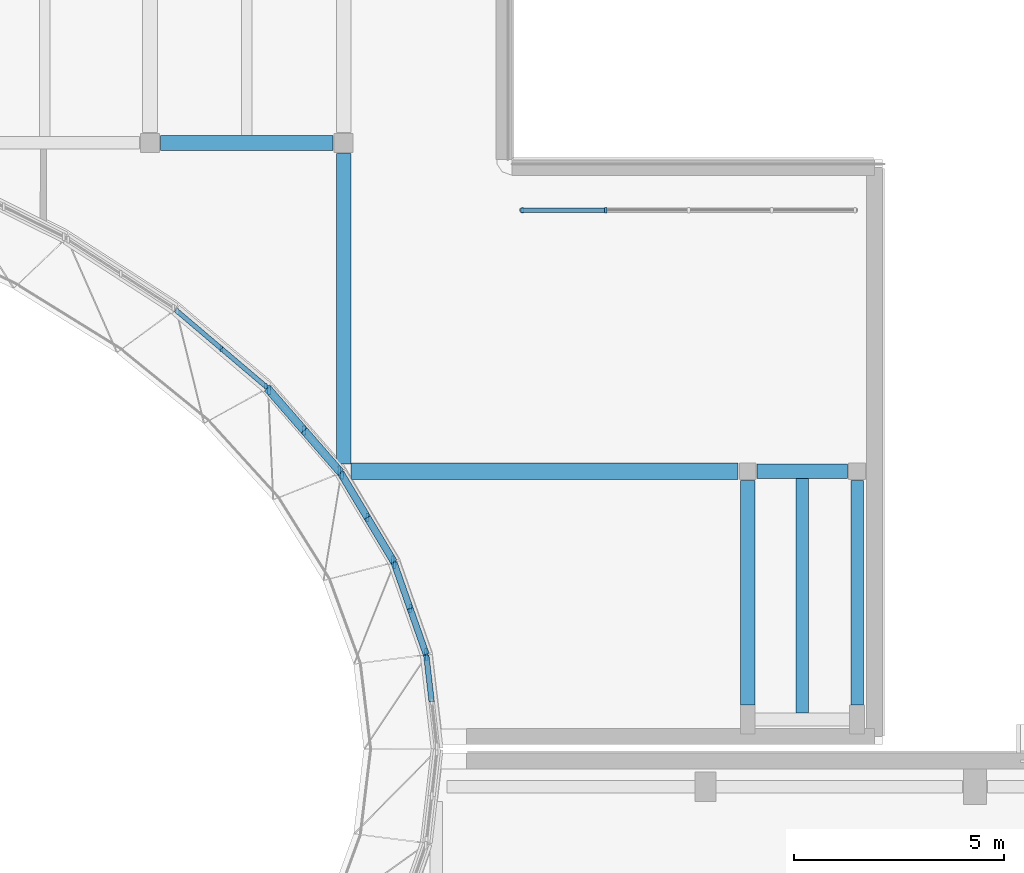
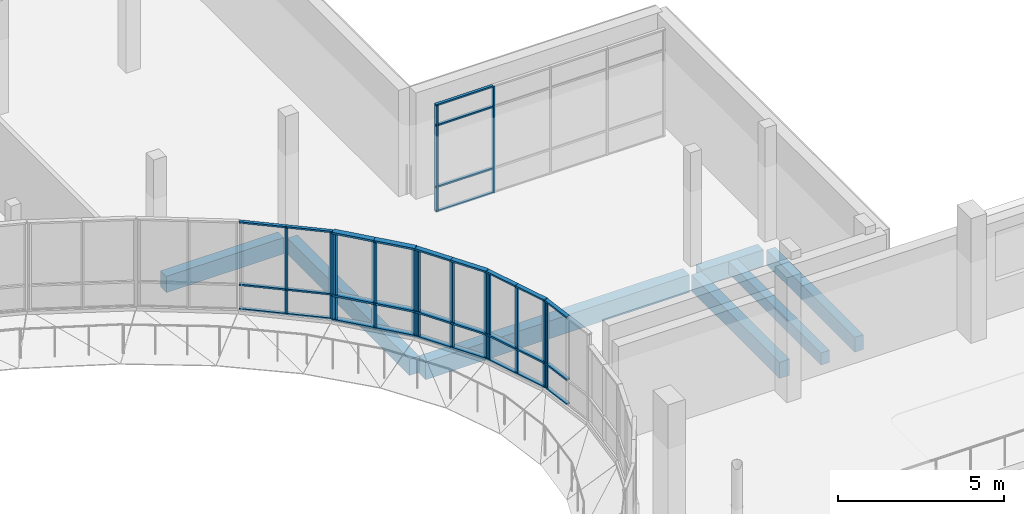
# One storey, part 26 of 73: 45 members, 7 beams, 6 elements without a shape of their own.
"""IFC4 building model written with IfcOpenShell, lengths in metres."""

from ifc_helpers import new_model, si_unit, direction, frame, origin, origin_2d, place, context, subcontext, project, spatial, rectangle, extrude, material, material_profile, profile_set, type_object, element, aggregate, save


model = new_model("IFC4")

# Units and contexts
model_context = context("Model", 3, precision=1e-05, world=origin(), true_north=direction((0.0, 1.0)))
body_context = subcontext(model_context, "Body", "Model", "MODEL_VIEW")
ifc_project = project(units=[si_unit("LENGTHUNIT", "METRE"), si_unit("AREAUNIT", "SQUARE_METRE"), si_unit("VOLUMEUNIT", "CUBIC_METRE"), si_unit("PLANEANGLEUNIT", "RADIAN"), si_unit("MASSUNIT", "GRAM", prefix="KILO")], contexts=[model_context])

# Site, building, storey
site_placement = place(None, origin())
site = spatial("IfcSite", under=ifc_project, at=site_placement, CompositionType="ELEMENT")
building_placement = place(site_placement, origin())
building = spatial("IfcBuilding", under=site, at=building_placement, Name="Mzevani Central Library", CompositionType="ELEMENT")
storey_placement = place(building_placement, frame((0.0, 0.0, 9.60009765625)))
storey = spatial("IfcBuildingStorey", under=building, at=storey_placement, Name="L02", CompositionType="ELEMENT", Elevation=9.60009765625)

# Beams
ifc_material_1 = material(Name="Concrete C35/45", Category="concrete")
ifc_material_profile_1 = material_profile(ifc_material_1, rectangle(XDim=0.300048828125, YDim=0.550048828125, at=origin_2d()), Name="RC B300x550")
ifc_profile_set_1 = profile_set([ifc_material_profile_1], Name="Concrete C35/45")
beam_type_1 = type_object("IfcBeamType", Name="Beam RC 300x550", PredefinedType="BEAM", material=ifc_profile_set_1)
beam_1_placement = place(storey_placement, frame((124.199951171875, 77.050048828125, -0.55517578125), z_axis=(0.0, 1.0, 0.0), x_axis=(-1.0, 0.0, 0.0)))
element("IfcBeam", 1, at=beam_1_placement, inside=storey, type_object=beam_type_1, Name="L02 V3 Frame Beam B-02 (617)", PredefinedType="BEAM", context=body_context, shape_type="SweptSolid", body=[
    extrude(rectangle(XDim=0.300048828125, YDim=0.550048828125, at=origin_2d()), origin(), (0.0, 0.0, 1.0), 5.324951171875),
])
ifc_material_profile_2 = material_profile(ifc_material_1, rectangle(XDim=0.35009765625, YDim=0.60009765625, at=origin_2d()), Name="RC B350x600")
ifc_profile_set_2 = profile_set([ifc_material_profile_2], Name="Concrete C35/45")
beam_type_2 = type_object("IfcBeamType", Name="Beam RC 350x600", PredefinedType="BEAM", material=ifc_profile_set_2)
beam_2_placement = place(storey_placement, frame((121.824951171875, 82.60009765625, -0.580078125), z_axis=(1.0, 0.0, 0.0), x_axis=(0.0, 1.0, 0.0)))
element("IfcBeam", 2, at=beam_2_placement, inside=storey, type_object=beam_type_2, Name="L02 V3 Girder B-04 (559)", PredefinedType="BEAM", context=body_context, shape_type="SweptSolid", body=[
    extrude(rectangle(XDim=0.35009765625, YDim=0.60009765625, at=origin_2d()), origin(), (0.0, 0.0, 1.0), 2.150146484375),
])
beam_3_placement = place(storey_placement, frame((107.64990234375, 90.39990234375, -0.580078125), z_axis=(1.0, 0.0, 0.0), x_axis=(0.0, 1.0, 0.0)))
element("IfcBeam", 3, at=beam_3_placement, inside=storey, type_object=beam_type_2, Name="L02 V3 Girder B-04 (563)", PredefinedType="BEAM", context=body_context, shape_type="SweptSolid", body=[
    extrude(rectangle(XDim=0.35009765625, YDim=0.60009765625, at=origin_2d()), origin(), (0.0, 0.0, 1.0), 4.10009765625),
])
beam_4_placement = place(storey_placement, frame((112.0, 82.77490234375, -0.580078125), z_axis=(0.0, 1.0, 0.0), x_axis=(-1.0, 0.0, 0.0)))
element("IfcBeam", 4, at=beam_4_placement, inside=storey, type_object=beam_type_2, Name="L02 V3 Frame Beam B-04 (611)", PredefinedType="BEAM", context=body_context, shape_type="SweptSolid", body=[
    extrude(rectangle(XDim=0.35009765625, YDim=0.60009765625, at=origin_2d()), origin(), (0.0, 0.0, 1.0), 7.375),
])
beam_5_placement = place(storey_placement, frame((121.60009765625, 77.050048828125, -0.580078125), z_axis=(0.0, 1.0, 0.0), x_axis=(-1.0, 0.0, 0.0)))
element("IfcBeam", 5, at=beam_5_placement, inside=storey, type_object=beam_type_2, Name="L02 V3 Frame Beam B-04 (615)", PredefinedType="BEAM", context=body_context, shape_type="SweptSolid", body=[
    extrude(rectangle(XDim=0.35009765625, YDim=0.60009765625, at=origin_2d()), origin(), (0.0, 0.0, 1.0), 5.324951171875),
])
ifc_material_profile_3 = material_profile(ifc_material_1, rectangle(XDim=0.39990234375, YDim=0.64990234375, at=origin_2d()), Name="RC B400x650")
ifc_profile_set_3 = profile_set([ifc_material_profile_3], Name="Concrete C35/45")
beam_type_3 = type_object("IfcBeamType", Name="Beam RC 400x650", PredefinedType="BEAM", material=ifc_profile_set_3)
beam_6_placement = place(storey_placement, frame((112.175048828125, 82.60009765625, -0.60498046875), z_axis=(1.0, 0.0, 0.0), x_axis=(0.0, 1.0, 0.0)))
element("IfcBeam", 6, at=beam_6_placement, inside=storey, type_object=beam_type_3, Name="L02 V3 Girder B-07 (558)", PredefinedType="BEAM", context=body_context, shape_type="SweptSolid", body=[
    extrude(rectangle(XDim=0.39990234375, YDim=0.64990234375, at=origin_2d()), origin(), (0.0, 0.0, 1.0), 9.199951171875),
])

# Curtain wall, members
ifc_material_2 = material(Name="Thermally broken aluminium and Low-E triple glazing", Category="aluminium")
curtain_wall_type_1 = type_object("IfcCurtainWallType", Name="Interior Atrium Acoustic Glazed Screen", PredefinedType="NOTDEFINED", material=ifc_material_2)
curtain_wall_1_placement = place(storey_placement, origin())
curtain_wall_1 = element("IfcCurtainWall", 7, at=curtain_wall_1_placement, inside=storey, type_object=curtain_wall_type_1, Name="L02 Atrium Acoustic Overlook Screen 6", PredefinedType="NOTDEFINED")
ifc_material_3 = material(Name="Thermally broken aluminium AW-6060", Category="aluminium")
ifc_material_profile_4 = material_profile(ifc_material_3, rectangle(XDim=0.054931640625, YDim=0.1298828125, at=origin_2d()), Name="ALU M55x130")
ifc_profile_set_4 = profile_set([ifc_material_profile_4], Name="Thermally broken aluminium AW-6060")
member_type_1 = type_object("IfcMemberType", Name="CW Interior Mullion 55x130", PredefinedType="MULLION", material=ifc_profile_set_4)
member_1_placement = place(storey_placement, frame((116.25, 88.800048828125, 0.0), z_axis=(0.0, 0.0, 1.0), x_axis=(1.0, 0.0, 0.0)))
member_1 = element("IfcMember", 8, at=member_1_placement, type_object=member_type_1, Name="L02 Atrium Acoustic Overlook Screen 6 Mullion 1", PredefinedType="MULLION", context=body_context, shape_type="SweptSolid", body=[
    extrude(rectangle(XDim=0.054931640625, YDim=0.1298828125, at=origin_2d()), origin(), (0.0, 0.0, 1.0), 3.919921875),
])
member_2_placement = place(storey_placement, frame((118.22509765625, 88.800048828125, 0.0), z_axis=(0.0, 0.0, 1.0), x_axis=(1.0, 0.0, 0.0)))
member_2 = element("IfcMember", 9, at=member_2_placement, type_object=member_type_1, Name="L02 Atrium Acoustic Overlook Screen 6 Mullion 2", PredefinedType="MULLION", context=body_context, shape_type="SweptSolid", body=[
    extrude(rectangle(XDim=0.054931640625, YDim=0.1298828125, at=origin_2d()), origin(), (0.0, 0.0, 1.0), 3.919921875),
])
ifc_material_profile_5 = material_profile(ifc_material_3, rectangle(XDim=0.10009765625, YDim=0.054931640625, at=origin_2d()), Name="ALU T55x100")
ifc_profile_set_5 = profile_set([ifc_material_profile_5], Name="Thermally broken aluminium AW-6060")
member_type_2 = type_object("IfcMemberType", Name="CW Interior Transom 55x100", PredefinedType="USERDEFINED", material=ifc_profile_set_5)
member_3_placement = place(storey_placement, frame((116.199951171875, 88.800048828125, 0.0), z_axis=(1.0, 0.0, 0.0), x_axis=(0.0, 1.0, 0.0)))
member_3 = element("IfcMember", 10, at=member_3_placement, type_object=member_type_2, Name="L02 Atrium Acoustic Overlook Screen 6 Transom 1", ObjectType="TRANSOM", PredefinedType="USERDEFINED", context=body_context, shape_type="SweptSolid", body=[
    extrude(rectangle(XDim=0.10009765625, YDim=0.054931640625, at=origin_2d()), origin(), (0.0, 0.0, 1.0), 2.0),
])
member_4_placement = place(storey_placement, frame((116.199951171875, 88.800048828125, 0.89990234375), z_axis=(1.0, 0.0, 0.0), x_axis=(0.0, 1.0, 0.0)))
member_4 = element("IfcMember", 11, at=member_4_placement, type_object=member_type_2, Name="L02 Atrium Acoustic Overlook Screen 6 Transom 2", ObjectType="TRANSOM", PredefinedType="USERDEFINED", context=body_context, shape_type="SweptSolid", body=[
    extrude(rectangle(XDim=0.10009765625, YDim=0.054931640625, at=origin_2d()), origin(), (0.0, 0.0, 1.0), 2.0),
])
member_5_placement = place(storey_placement, frame((116.199951171875, 88.800048828125, 3.169921875), z_axis=(1.0, 0.0, 0.0), x_axis=(0.0, 1.0, 0.0)))
member_5 = element("IfcMember", 12, at=member_5_placement, type_object=member_type_2, Name="L02 Atrium Acoustic Overlook Screen 6 Transom 3", ObjectType="TRANSOM", PredefinedType="USERDEFINED", context=body_context, shape_type="SweptSolid", body=[
    extrude(rectangle(XDim=0.10009765625, YDim=0.054931640625, at=origin_2d()), origin(), (0.0, 0.0, 1.0), 2.0),
])
member_6_placement = place(storey_placement, frame((116.199951171875, 88.800048828125, 3.919921875), z_axis=(1.0, 0.0, 0.0), x_axis=(0.0, 1.0, 0.0)))
member_6 = element("IfcMember", 13, at=member_6_placement, type_object=member_type_2, Name="L02 Atrium Acoustic Overlook Screen 6 Transom 4", ObjectType="TRANSOM", PredefinedType="USERDEFINED", context=body_context, shape_type="SweptSolid", body=[
    extrude(rectangle(XDim=0.10009765625, YDim=0.054931640625, at=origin_2d()), origin(), (0.0, 0.0, 1.0), 2.0),
])
aggregate(curtain_wall_1, [member_1, member_2, member_3, member_4, member_5, member_6])

curtain_wall_type_2 = type_object("IfcCurtainWallType", Name="Elliptical Court Unitised Curtain Wall", PredefinedType="NOTDEFINED", material=ifc_material_2)
curtain_wall_2_placement = place(storey_placement, origin())
curtain_wall_2 = element("IfcCurtainWall", 14, at=curtain_wall_2_placement, inside=storey, type_object=curtain_wall_type_2, Name="L02 Elliptical Court Curtain Wall 5", PredefinedType="NOTDEFINED")
ifc_material_profile_6 = material_profile(ifc_material_3, rectangle(XDim=0.06005859375, YDim=0.139892578125, at=origin_2d()), Name="ALU M60x140")
ifc_profile_set_6 = profile_set([ifc_material_profile_6], Name="Thermally broken aluminium AW-6060")
member_type_3 = type_object("IfcMemberType", Name="CW Mullion 60x140", PredefinedType="MULLION", material=ifc_profile_set_6)
member_7_placement = place(storey_placement, frame((110.1484375, 84.616455078125, 0.719970703125), z_axis=(0.0, 0.0, 1.0), x_axis=(1.0, 0.0, 0.0)))
member_7 = element("IfcMember", 15, at=member_7_placement, type_object=member_type_3, Name="L02 Elliptical Court Curtain Wall 5 Mullion 1", PredefinedType="MULLION", context=body_context, shape_type="SweptSolid", body=[
    extrude(rectangle(XDim=0.06005859375, YDim=0.139892578125, at=origin_2d()), origin(), (0.0, 0.0, 1.0), 3.199951171875),
])
member_8_placement = place(storey_placement, frame((109.096435546875, 85.50927734375, 0.719970703125), z_axis=(0.0, 0.0, 1.0), x_axis=(1.0, 0.0, 0.0)))
member_8 = element("IfcMember", 16, at=member_8_placement, type_object=member_type_3, Name="L02 Elliptical Court Curtain Wall 5 Mullion 2", PredefinedType="MULLION", context=body_context, shape_type="SweptSolid", body=[
    extrude(rectangle(XDim=0.06005859375, YDim=0.139892578125, at=origin_2d()), origin(), (0.0, 0.0, 1.0), 3.199951171875),
])

# Curtain wall, member
curtain_wall_type_3 = type_object("IfcCurtainWallType", Name="Reading Hall Northlight Curtain Wall", PredefinedType="NOTDEFINED", material=ifc_material_2)
curtain_wall_3_placement = place(storey_placement, origin())
curtain_wall_3 = element("IfcCurtainWall", 17, at=curtain_wall_3_placement, inside=storey, type_object=curtain_wall_type_3, Name="L02 Elliptical Court Curtain Wall 1", PredefinedType="NOTDEFINED")
ifc_material_profile_7 = material_profile(ifc_material_3, rectangle(XDim=0.06005859375, YDim=0.159912109375, at=origin_2d()), Name="ALU M60x160")
ifc_profile_set_7 = profile_set([ifc_material_profile_7], Name="Thermally broken aluminium AW-6060")
member_type_4 = type_object("IfcMemberType", Name="CW Mullion 60x160", PredefinedType="MULLION", material=ifc_profile_set_7)
member_9_placement = place(storey_placement, frame((113.968994140625, 78.178955078125, 0.719970703125), z_axis=(0.0, 0.0, 1.0), x_axis=(1.0, 0.0, 0.0)))
member_9 = element("IfcMember", 18, at=member_9_placement, type_object=member_type_4, Name="L02 Elliptical Court Curtain Wall 1 Mullion 3", PredefinedType="MULLION", context=body_context, shape_type="SweptSolid", body=[
    extrude(rectangle(XDim=0.06005859375, YDim=0.159912109375, at=origin_2d()), origin(), (0.0, 0.0, 1.0), 3.199951171875),
])

# Curtain wall, members
curtain_wall_4_placement = place(storey_placement, origin())
curtain_wall_4 = element("IfcCurtainWall", 19, at=curtain_wall_4_placement, inside=storey, type_object=curtain_wall_type_2, Name="L02 Elliptical Court Curtain Wall 2", PredefinedType="NOTDEFINED")
ifc_material_profile_8 = material_profile(ifc_material_3, rectangle(XDim=0.06005859375, YDim=0.179931640625, at=origin_2d()), Name="ALU M60x180")
ifc_profile_set_8 = profile_set([ifc_material_profile_8], Name="Thermally broken aluminium AW-6060")
member_type_5 = type_object("IfcMemberType", Name="CW Mullion 60x180", PredefinedType="MULLION", material=ifc_profile_set_8)
member_10_placement = place(storey_placement, frame((113.945556640625, 78.29248046875, 0.719970703125), z_axis=(0.0, 0.0, 1.0), x_axis=(1.0, 0.0, 0.0)))
member_10 = element("IfcMember", 20, at=member_10_placement, type_object=member_type_5, Name="L02 Elliptical Court Curtain Wall 2 Mullion 1", PredefinedType="MULLION", context=body_context, shape_type="SweptSolid", body=[
    extrude(rectangle(XDim=0.06005859375, YDim=0.179931640625, at=origin_2d()), origin(), (0.0, 0.0, 1.0), 3.199951171875),
])
member_11_placement = place(storey_placement, frame((113.5791015625, 79.33642578125, 0.719970703125), z_axis=(0.0, 0.0, 1.0), x_axis=(1.0, 0.0, 0.0)))
member_11 = element("IfcMember", 21, at=member_11_placement, type_object=member_type_5, Name="L02 Elliptical Court Curtain Wall 2 Mullion 2", PredefinedType="MULLION", context=body_context, shape_type="SweptSolid", body=[
    extrude(rectangle(XDim=0.06005859375, YDim=0.179931640625, at=origin_2d()), origin(), (0.0, 0.0, 1.0), 3.199951171875),
])
member_12_placement = place(storey_placement, frame((113.212890625, 80.380615234375, 0.719970703125), z_axis=(0.0, 0.0, 1.0), x_axis=(1.0, 0.0, 0.0)))
member_12 = element("IfcMember", 22, at=member_12_placement, type_object=member_type_5, Name="L02 Elliptical Court Curtain Wall 2 Mullion 3", PredefinedType="MULLION", context=body_context, shape_type="SweptSolid", body=[
    extrude(rectangle(XDim=0.06005859375, YDim=0.179931640625, at=origin_2d()), origin(), (0.0, 0.0, 1.0), 3.199951171875),
])

curtain_wall_5_placement = place(storey_placement, origin())
curtain_wall_5 = element("IfcCurtainWall", 23, at=curtain_wall_5_placement, inside=storey, type_object=curtain_wall_type_2, Name="L02 Elliptical Court Curtain Wall 3", PredefinedType="NOTDEFINED")
ifc_material_profile_9 = material_profile(ifc_material_3, rectangle(XDim=0.06494140625, YDim=0.199951171875, at=origin_2d()), Name="ALU M65x200")
ifc_profile_set_9 = profile_set([ifc_material_profile_9], Name="Thermally broken aluminium AW-6060")
member_type_6 = type_object("IfcMemberType", Name="CW Mullion 65x200", PredefinedType="MULLION", material=ifc_profile_set_9)
member_13_placement = place(storey_placement, frame((113.168212890625, 80.487548828125, 0.719970703125), z_axis=(0.0, 0.0, 1.0), x_axis=(1.0, 0.0, 0.0)))
member_13 = element("IfcMember", 24, at=member_13_placement, type_object=member_type_6, Name="L02 Elliptical Court Curtain Wall 3 Mullion 1", PredefinedType="MULLION", context=body_context, shape_type="SweptSolid", body=[
    extrude(rectangle(XDim=0.06494140625, YDim=0.199951171875, at=origin_2d()), origin(), (0.0, 0.0, 1.0), 3.199951171875),
])
member_14_placement = place(storey_placement, frame((112.56298828125, 81.498291015625, 0.719970703125), z_axis=(0.0, 0.0, 1.0), x_axis=(1.0, 0.0, 0.0)))
member_14 = element("IfcMember", 25, at=member_14_placement, type_object=member_type_6, Name="L02 Elliptical Court Curtain Wall 3 Mullion 2", PredefinedType="MULLION", context=body_context, shape_type="SweptSolid", body=[
    extrude(rectangle(XDim=0.06494140625, YDim=0.199951171875, at=origin_2d()), origin(), (0.0, 0.0, 1.0), 3.199951171875),
])
member_15_placement = place(storey_placement, frame((111.9580078125, 82.509033203125, 0.719970703125), z_axis=(0.0, 0.0, 1.0), x_axis=(1.0, 0.0, 0.0)))
member_15 = element("IfcMember", 26, at=member_15_placement, type_object=member_type_6, Name="L02 Elliptical Court Curtain Wall 3 Mullion 3", PredefinedType="MULLION", context=body_context, shape_type="SweptSolid", body=[
    extrude(rectangle(XDim=0.06494140625, YDim=0.199951171875, at=origin_2d()), origin(), (0.0, 0.0, 1.0), 3.199951171875),
])

curtain_wall_6_placement = place(storey_placement, origin())
curtain_wall_6 = element("IfcCurtainWall", 27, at=curtain_wall_6_placement, inside=storey, type_object=curtain_wall_type_3, Name="L02 Elliptical Court Curtain Wall 4", PredefinedType="NOTDEFINED")
ifc_material_profile_10 = material_profile(ifc_material_3, rectangle(XDim=0.070068359375, YDim=0.219970703125, at=origin_2d()), Name="ALU M70x220")
ifc_profile_set_10 = profile_set([ifc_material_profile_10], Name="Thermally broken aluminium AW-6060")
member_type_7 = type_object("IfcMemberType", Name="CW Mullion 70x220", PredefinedType="MULLION", material=ifc_profile_set_10)
member_16_placement = place(storey_placement, frame((111.8955078125, 82.607421875, 0.719970703125), z_axis=(0.0, 0.0, 1.0), x_axis=(1.0, 0.0, 0.0)))
member_16 = element("IfcMember", 28, at=member_16_placement, type_object=member_type_7, Name="L02 Elliptical Court Curtain Wall 4 Mullion 1", PredefinedType="MULLION", context=body_context, shape_type="SweptSolid", body=[
    extrude(rectangle(XDim=0.070068359375, YDim=0.219970703125, at=origin_2d()), origin(), (0.0, 0.0, 1.0), 3.199951171875),
])
member_17_placement = place(storey_placement, frame((111.060546875, 83.5673828125, 0.719970703125), z_axis=(0.0, 0.0, 1.0), x_axis=(1.0, 0.0, 0.0)))
member_17 = element("IfcMember", 29, at=member_17_placement, type_object=member_type_7, Name="L02 Elliptical Court Curtain Wall 4 Mullion 2", PredefinedType="MULLION", context=body_context, shape_type="SweptSolid", body=[
    extrude(rectangle(XDim=0.070068359375, YDim=0.219970703125, at=origin_2d()), origin(), (0.0, 0.0, 1.0), 3.199951171875),
])
member_18_placement = place(storey_placement, frame((110.225341796875, 84.527587890625, 0.719970703125), z_axis=(0.0, 0.0, 1.0), x_axis=(1.0, 0.0, 0.0)))
member_18 = element("IfcMember", 30, at=member_18_placement, type_object=member_type_7, Name="L02 Elliptical Court Curtain Wall 4 Mullion 3", PredefinedType="MULLION", context=body_context, shape_type="SweptSolid", body=[
    extrude(rectangle(XDim=0.070068359375, YDim=0.219970703125, at=origin_2d()), origin(), (0.0, 0.0, 1.0), 3.199951171875),
])

# Member
ifc_material_profile_11 = material_profile(ifc_material_3, rectangle(XDim=0.110107421875, YDim=0.06005859375, at=origin_2d()), Name="ALU T60x110")
ifc_profile_set_11 = profile_set([ifc_material_profile_11], Name="Thermally broken aluminium AW-6060")
member_type_8 = type_object("IfcMemberType", Name="CW Transom 60x110", PredefinedType="USERDEFINED", material=ifc_profile_set_11)
member_19_placement = place(storey_placement, frame((110.1865234375, 84.583984375, 0.719970703125), z_axis=(-0.762381493954, 0.647127852651, 0.0), x_axis=(-0.647127852651, -0.762381493954, 0.0)))
member_19 = element("IfcMember", 31, at=member_19_placement, type_object=member_type_8, Name="L02 Elliptical Court Curtain Wall 5 Transom 1", ObjectType="TRANSOM", PredefinedType="USERDEFINED", context=body_context, shape_type="SweptSolid", body=[
    extrude(rectangle(XDim=0.110107421875, YDim=0.06005859375, at=origin_2d()), origin(), (0.0, 0.0, 1.0), 1.429931640625),
])

member_20_placement = place(storey_placement, frame((110.1865234375, 84.583984375, 1.619873046875), z_axis=(-0.762381493954, 0.647127852651, 0.0), x_axis=(-0.647127852651, -0.762381493954, 0.0)))
member_20 = element("IfcMember", 32, at=member_20_placement, type_object=member_type_8, Name="L02 Elliptical Court Curtain Wall 5 Transom 2", ObjectType="TRANSOM", PredefinedType="USERDEFINED", context=body_context, shape_type="SweptSolid", body=[
    extrude(rectangle(XDim=0.110107421875, YDim=0.06005859375, at=origin_2d()), origin(), (0.0, 0.0, 1.0), 1.429931640625),
])

member_21_placement = place(storey_placement, frame((110.1865234375, 84.583984375, 3.919921875), z_axis=(-0.762381493954, 0.647127852651, 0.0), x_axis=(-0.647127852651, -0.762381493954, 0.0)))
member_21 = element("IfcMember", 33, at=member_21_placement, type_object=member_type_8, Name="L02 Elliptical Court Curtain Wall 5 Transom 3", ObjectType="TRANSOM", PredefinedType="USERDEFINED", context=body_context, shape_type="SweptSolid", body=[
    extrude(rectangle(XDim=0.110107421875, YDim=0.06005859375, at=origin_2d()), origin(), (0.0, 0.0, 1.0), 1.429931640625),
])

member_22_placement = place(storey_placement, frame((109.096435546875, 85.50927734375, 0.719970703125), z_axis=(-0.762465735824, 0.647028594186, 0.0), x_axis=(-0.647028594186, -0.762465735824, 0.0)))
member_22 = element("IfcMember", 34, at=member_22_placement, type_object=member_type_8, Name="L02 Elliptical Court Curtain Wall 5 Transom 4", ObjectType="TRANSOM", PredefinedType="USERDEFINED", context=body_context, shape_type="SweptSolid", body=[
    extrude(rectangle(XDim=0.110107421875, YDim=0.06005859375, at=origin_2d()), origin(), (0.0, 0.0, 1.0), 1.4296875),
])

member_23_placement = place(storey_placement, frame((109.096435546875, 85.50927734375, 1.619873046875), z_axis=(-0.762465735824, 0.647028594186, 0.0), x_axis=(-0.647028594186, -0.762465735824, 0.0)))
member_23 = element("IfcMember", 35, at=member_23_placement, type_object=member_type_8, Name="L02 Elliptical Court Curtain Wall 5 Transom 5", ObjectType="TRANSOM", PredefinedType="USERDEFINED", context=body_context, shape_type="SweptSolid", body=[
    extrude(rectangle(XDim=0.110107421875, YDim=0.06005859375, at=origin_2d()), origin(), (0.0, 0.0, 1.0), 1.4296875),
])

member_24_placement = place(storey_placement, frame((109.096435546875, 85.50927734375, 3.919921875), z_axis=(-0.762465735824, 0.647028594186, 0.0), x_axis=(-0.647028594186, -0.762465735824, 0.0)))
member_24 = element("IfcMember", 36, at=member_24_placement, type_object=member_type_8, Name="L02 Elliptical Court Curtain Wall 5 Transom 6", ObjectType="TRANSOM", PredefinedType="USERDEFINED", context=body_context, shape_type="SweptSolid", body=[
    extrude(rectangle(XDim=0.110107421875, YDim=0.06005859375, at=origin_2d()), origin(), (0.0, 0.0, 1.0), 1.4296875),
])

aggregate(curtain_wall_2, [member_7, member_8, member_19, member_20, member_21, member_22, member_23, member_24])

ifc_material_profile_12 = material_profile(ifc_material_3, rectangle(XDim=0.1298828125, YDim=0.06005859375, at=origin_2d()), Name="ALU T60x130")
ifc_profile_set_12 = profile_set([ifc_material_profile_12], Name="Thermally broken aluminium AW-6060")
member_type_9 = type_object("IfcMemberType", Name="CW Transom 60x130", PredefinedType="USERDEFINED", material=ifc_profile_set_12)
member_25_placement = place(storey_placement, frame((114.091552734375, 77.118408203125, 0.719970703125), z_axis=(-0.114889397614, 0.993378289634, 0.0), x_axis=(-0.993378289634, -0.114889397614, 0.0)))
member_25 = element("IfcMember", 37, at=member_25_placement, type_object=member_type_9, Name="L02 Elliptical Court Curtain Wall 1 Transom 4", ObjectType="TRANSOM", PredefinedType="USERDEFINED", context=body_context, shape_type="SweptSolid", body=[
    extrude(rectangle(XDim=0.1298828125, YDim=0.06005859375, at=origin_2d()), origin(), (0.0, 0.0, 1.0), 1.11767578125),
])

member_26_placement = place(storey_placement, frame((114.091552734375, 77.118408203125, 1.619873046875), z_axis=(-0.114889397614, 0.993378289634, 0.0), x_axis=(-0.993378289634, -0.114889397614, 0.0)))
member_26 = element("IfcMember", 38, at=member_26_placement, type_object=member_type_9, Name="L02 Elliptical Court Curtain Wall 1 Transom 5", ObjectType="TRANSOM", PredefinedType="USERDEFINED", context=body_context, shape_type="SweptSolid", body=[
    extrude(rectangle(XDim=0.1298828125, YDim=0.06005859375, at=origin_2d()), origin(), (0.0, 0.0, 1.0), 1.11767578125),
])

member_27_placement = place(storey_placement, frame((114.091552734375, 77.118408203125, 3.919921875), z_axis=(-0.114889397614, 0.993378289634, 0.0), x_axis=(-0.993378289634, -0.114889397614, 0.0)))
member_27 = element("IfcMember", 39, at=member_27_placement, type_object=member_type_9, Name="L02 Elliptical Court Curtain Wall 1 Transom 6", ObjectType="TRANSOM", PredefinedType="USERDEFINED", context=body_context, shape_type="SweptSolid", body=[
    extrude(rectangle(XDim=0.1298828125, YDim=0.06005859375, at=origin_2d()), origin(), (0.0, 0.0, 1.0), 1.11767578125),
])

aggregate(curtain_wall_3, [member_9, member_25, member_26, member_27])

ifc_material_profile_13 = material_profile(ifc_material_3, rectangle(XDim=0.14990234375, YDim=0.06005859375, at=origin_2d()), Name="ALU T60x150")
ifc_profile_set_13 = profile_set([ifc_material_profile_13], Name="Thermally broken aluminium AW-6060")
member_type_10 = type_object("IfcMemberType", Name="CW Transom 60x150", PredefinedType="USERDEFINED", material=ifc_profile_set_13)
member_28_placement = place(storey_placement, frame((113.9619140625, 78.2451171875, 0.719970703125), z_axis=(-0.331008570157, 0.943627747834, 0.0), x_axis=(-0.943627747834, -0.331008570157, 0.0)))
member_28 = element("IfcMember", 40, at=member_28_placement, type_object=member_type_10, Name="L02 Elliptical Court Curtain Wall 2 Transom 1", ObjectType="TRANSOM", PredefinedType="USERDEFINED", context=body_context, shape_type="SweptSolid", body=[
    extrude(rectangle(XDim=0.14990234375, YDim=0.06005859375, at=origin_2d()), origin(), (0.0, 0.0, 1.0), 1.156494140625),
])

member_29_placement = place(storey_placement, frame((113.9619140625, 78.2451171875, 1.619873046875), z_axis=(-0.331008570157, 0.943627747834, 0.0), x_axis=(-0.943627747834, -0.331008570157, 0.0)))
member_29 = element("IfcMember", 41, at=member_29_placement, type_object=member_type_10, Name="L02 Elliptical Court Curtain Wall 2 Transom 2", ObjectType="TRANSOM", PredefinedType="USERDEFINED", context=body_context, shape_type="SweptSolid", body=[
    extrude(rectangle(XDim=0.14990234375, YDim=0.06005859375, at=origin_2d()), origin(), (0.0, 0.0, 1.0), 1.156494140625),
])

member_30_placement = place(storey_placement, frame((113.9619140625, 78.2451171875, 3.919921875), z_axis=(-0.331008570157, 0.943627747834, 0.0), x_axis=(-0.943627747834, -0.331008570157, 0.0)))
member_30 = element("IfcMember", 42, at=member_30_placement, type_object=member_type_10, Name="L02 Elliptical Court Curtain Wall 2 Transom 3", ObjectType="TRANSOM", PredefinedType="USERDEFINED", context=body_context, shape_type="SweptSolid", body=[
    extrude(rectangle(XDim=0.14990234375, YDim=0.06005859375, at=origin_2d()), origin(), (0.0, 0.0, 1.0), 1.156494140625),
])

member_31_placement = place(storey_placement, frame((113.5791015625, 79.33642578125, 0.719970703125), z_axis=(-0.331008570157, 0.943627747834, 0.0), x_axis=(-0.943627747834, -0.331008570157, 0.0)))
member_31 = element("IfcMember", 43, at=member_31_placement, type_object=member_type_10, Name="L02 Elliptical Court Curtain Wall 2 Transom 4", ObjectType="TRANSOM", PredefinedType="USERDEFINED", context=body_context, shape_type="SweptSolid", body=[
    extrude(rectangle(XDim=0.14990234375, YDim=0.06005859375, at=origin_2d()), origin(), (0.0, 0.0, 1.0), 1.156494140625),
])

member_32_placement = place(storey_placement, frame((113.5791015625, 79.33642578125, 1.619873046875), z_axis=(-0.331008570157, 0.943627747834, 0.0), x_axis=(-0.943627747834, -0.331008570157, 0.0)))
member_32 = element("IfcMember", 44, at=member_32_placement, type_object=member_type_10, Name="L02 Elliptical Court Curtain Wall 2 Transom 5", ObjectType="TRANSOM", PredefinedType="USERDEFINED", context=body_context, shape_type="SweptSolid", body=[
    extrude(rectangle(XDim=0.14990234375, YDim=0.06005859375, at=origin_2d()), origin(), (0.0, 0.0, 1.0), 1.156494140625),
])

member_33_placement = place(storey_placement, frame((113.5791015625, 79.33642578125, 3.919921875), z_axis=(-0.331008570157, 0.943627747834, 0.0), x_axis=(-0.943627747834, -0.331008570157, 0.0)))
member_33 = element("IfcMember", 45, at=member_33_placement, type_object=member_type_10, Name="L02 Elliptical Court Curtain Wall 2 Transom 6", ObjectType="TRANSOM", PredefinedType="USERDEFINED", context=body_context, shape_type="SweptSolid", body=[
    extrude(rectangle(XDim=0.14990234375, YDim=0.06005859375, at=origin_2d()), origin(), (0.0, 0.0, 1.0), 1.156494140625),
])

aggregate(curtain_wall_4, [member_10, member_11, member_12, member_28, member_29, member_30, member_31, member_32, member_33])

ifc_material_profile_14 = material_profile(ifc_material_3, rectangle(XDim=0.169921875, YDim=0.06494140625, at=origin_2d()), Name="ALU T65x170")
ifc_profile_set_14 = profile_set([ifc_material_profile_14], Name="Thermally broken aluminium AW-6060")
member_type_11 = type_object("IfcMemberType", Name="CW Transom 65x170", PredefinedType="USERDEFINED", material=ifc_profile_set_14)
member_34_placement = place(storey_placement, frame((113.19384765625, 80.444580078125, 0.719970703125), z_axis=(-0.513676968205, 0.857983666707, 0.0), x_axis=(-0.857983666707, -0.513676968205, 0.0)))
member_34 = element("IfcMember", 46, at=member_34_placement, type_object=member_type_11, Name="L02 Elliptical Court Curtain Wall 3 Transom 1", ObjectType="TRANSOM", PredefinedType="USERDEFINED", context=body_context, shape_type="SweptSolid", body=[
    extrude(rectangle(XDim=0.169921875, YDim=0.06494140625, at=origin_2d()), origin(), (0.0, 0.0, 1.0), 1.22802734375),
])

member_35_placement = place(storey_placement, frame((113.19384765625, 80.444580078125, 1.619873046875), z_axis=(-0.513676968205, 0.857983666707, 0.0), x_axis=(-0.857983666707, -0.513676968205, 0.0)))
member_35 = element("IfcMember", 47, at=member_35_placement, type_object=member_type_11, Name="L02 Elliptical Court Curtain Wall 3 Transom 2", ObjectType="TRANSOM", PredefinedType="USERDEFINED", context=body_context, shape_type="SweptSolid", body=[
    extrude(rectangle(XDim=0.169921875, YDim=0.06494140625, at=origin_2d()), origin(), (0.0, 0.0, 1.0), 1.22802734375),
])

member_36_placement = place(storey_placement, frame((113.19384765625, 80.444580078125, 3.919921875), z_axis=(-0.513676968205, 0.857983666707, 0.0), x_axis=(-0.857983666707, -0.513676968205, 0.0)))
member_36 = element("IfcMember", 48, at=member_36_placement, type_object=member_type_11, Name="L02 Elliptical Court Curtain Wall 3 Transom 3", ObjectType="TRANSOM", PredefinedType="USERDEFINED", context=body_context, shape_type="SweptSolid", body=[
    extrude(rectangle(XDim=0.169921875, YDim=0.06494140625, at=origin_2d()), origin(), (0.0, 0.0, 1.0), 1.22802734375),
])

member_37_placement = place(storey_placement, frame((112.56298828125, 81.498291015625, 0.719970703125), z_axis=(-0.513530608291, 0.858071275797, 0.0), x_axis=(-0.858071275797, -0.513530608291, 0.0)))
member_37 = element("IfcMember", 49, at=member_37_placement, type_object=member_type_11, Name="L02 Elliptical Court Curtain Wall 3 Transom 4", ObjectType="TRANSOM", PredefinedType="USERDEFINED", context=body_context, shape_type="SweptSolid", body=[
    extrude(rectangle(XDim=0.169921875, YDim=0.06494140625, at=origin_2d()), origin(), (0.0, 0.0, 1.0), 1.22802734375),
])

member_38_placement = place(storey_placement, frame((112.56298828125, 81.498291015625, 1.619873046875), z_axis=(-0.513530608291, 0.858071275797, 0.0), x_axis=(-0.858071275797, -0.513530608291, 0.0)))
member_38 = element("IfcMember", 50, at=member_38_placement, type_object=member_type_11, Name="L02 Elliptical Court Curtain Wall 3 Transom 5", ObjectType="TRANSOM", PredefinedType="USERDEFINED", context=body_context, shape_type="SweptSolid", body=[
    extrude(rectangle(XDim=0.169921875, YDim=0.06494140625, at=origin_2d()), origin(), (0.0, 0.0, 1.0), 1.22802734375),
])

member_39_placement = place(storey_placement, frame((112.56298828125, 81.498291015625, 3.919921875), z_axis=(-0.513530608291, 0.858071275797, 0.0), x_axis=(-0.858071275797, -0.513530608291, 0.0)))
member_39 = element("IfcMember", 51, at=member_39_placement, type_object=member_type_11, Name="L02 Elliptical Court Curtain Wall 3 Transom 6", ObjectType="TRANSOM", PredefinedType="USERDEFINED", context=body_context, shape_type="SweptSolid", body=[
    extrude(rectangle(XDim=0.169921875, YDim=0.06494140625, at=origin_2d()), origin(), (0.0, 0.0, 1.0), 1.22802734375),
])

aggregate(curtain_wall_5, [member_13, member_14, member_15, member_34, member_35, member_36, member_37, member_38, member_39])

ifc_material_profile_15 = material_profile(ifc_material_3, rectangle(XDim=0.18994140625, YDim=0.070068359375, at=origin_2d()), Name="ALU T70x190")
ifc_profile_set_15 = profile_set([ifc_material_profile_15], Name="Thermally broken aluminium AW-6060")
member_type_12 = type_object("IfcMemberType", Name="CW Transom 70x190", PredefinedType="USERDEFINED", material=ifc_profile_set_15)
member_40_placement = place(storey_placement, frame((111.92822265625, 82.569580078125, 0.719970703125), z_axis=(-0.656187857122, 0.754597572329, 0.0), x_axis=(-0.754597572329, -0.656187857122, 0.0)))
member_40 = element("IfcMember", 52, at=member_40_placement, type_object=member_type_12, Name="L02 Elliptical Court Curtain Wall 4 Transom 1", ObjectType="TRANSOM", PredefinedType="USERDEFINED", context=body_context, shape_type="SweptSolid", body=[
    extrude(rectangle(XDim=0.18994140625, YDim=0.070068359375, at=origin_2d()), origin(), (0.0, 0.0, 1.0), 1.322265625),
])

member_41_placement = place(storey_placement, frame((111.92822265625, 82.569580078125, 1.619873046875), z_axis=(-0.656187857122, 0.754597572329, 0.0), x_axis=(-0.754597572329, -0.656187857122, 0.0)))
member_41 = element("IfcMember", 53, at=member_41_placement, type_object=member_type_12, Name="L02 Elliptical Court Curtain Wall 4 Transom 2", ObjectType="TRANSOM", PredefinedType="USERDEFINED", context=body_context, shape_type="SweptSolid", body=[
    extrude(rectangle(XDim=0.18994140625, YDim=0.070068359375, at=origin_2d()), origin(), (0.0, 0.0, 1.0), 1.322265625),
])

member_42_placement = place(storey_placement, frame((111.92822265625, 82.569580078125, 3.919921875), z_axis=(-0.656187857122, 0.754597572329, 0.0), x_axis=(-0.754597572329, -0.656187857122, 0.0)))
member_42 = element("IfcMember", 54, at=member_42_placement, type_object=member_type_12, Name="L02 Elliptical Court Curtain Wall 4 Transom 3", ObjectType="TRANSOM", PredefinedType="USERDEFINED", context=body_context, shape_type="SweptSolid", body=[
    extrude(rectangle(XDim=0.18994140625, YDim=0.070068359375, at=origin_2d()), origin(), (0.0, 0.0, 1.0), 1.322265625),
])

member_43_placement = place(storey_placement, frame((111.060546875, 83.5673828125, 0.719970703125), z_axis=(-0.656201564286, 0.754585652546, 0.0), x_axis=(-0.754585652546, -0.656201564286, 0.0)))
member_43 = element("IfcMember", 55, at=member_43_placement, type_object=member_type_12, Name="L02 Elliptical Court Curtain Wall 4 Transom 4", ObjectType="TRANSOM", PredefinedType="USERDEFINED", context=body_context, shape_type="SweptSolid", body=[
    extrude(rectangle(XDim=0.18994140625, YDim=0.070068359375, at=origin_2d()), origin(), (0.0, 0.0, 1.0), 1.32275390625),
])

member_44_placement = place(storey_placement, frame((111.060546875, 83.5673828125, 1.619873046875), z_axis=(-0.656201564286, 0.754585652546, 0.0), x_axis=(-0.754585652546, -0.656201564286, 0.0)))
member_44 = element("IfcMember", 56, at=member_44_placement, type_object=member_type_12, Name="L02 Elliptical Court Curtain Wall 4 Transom 5", ObjectType="TRANSOM", PredefinedType="USERDEFINED", context=body_context, shape_type="SweptSolid", body=[
    extrude(rectangle(XDim=0.18994140625, YDim=0.070068359375, at=origin_2d()), origin(), (0.0, 0.0, 1.0), 1.32275390625),
])

member_45_placement = place(storey_placement, frame((111.060546875, 83.5673828125, 3.919921875), z_axis=(-0.656201564286, 0.754585652546, 0.0), x_axis=(-0.754585652546, -0.656201564286, 0.0)))
member_45 = element("IfcMember", 57, at=member_45_placement, type_object=member_type_12, Name="L02 Elliptical Court Curtain Wall 4 Transom 6", ObjectType="TRANSOM", PredefinedType="USERDEFINED", context=body_context, shape_type="SweptSolid", body=[
    extrude(rectangle(XDim=0.18994140625, YDim=0.070068359375, at=origin_2d()), origin(), (0.0, 0.0, 1.0), 1.32275390625),
])

aggregate(curtain_wall_6, [member_16, member_17, member_18, member_40, member_41, member_42, member_43, member_44, member_45])

# Beam
ifc_material_profile_16 = material_profile(ifc_material_1, rectangle(XDim=0.300048828125, YDim=0.449951171875, at=origin_2d()), Name="RC J300x450")
ifc_profile_set_16 = profile_set([ifc_material_profile_16], Name="Concrete C35/45")
beam_type_4 = type_object("IfcBeamType", Name="Floor Joist RC 300x450", PredefinedType="JOIST", material=ifc_profile_set_16)
beam_7_placement = place(storey_placement, frame((122.89990234375, 76.85009765625, -0.505126953125), z_axis=(0.0, 1.0, 0.0), x_axis=(-1.0, 0.0, 0.0)))
element("IfcBeam", 58, at=beam_7_placement, inside=storey, type_object=beam_type_4, Name="L02 V3 Floor Joist BJ-03 (620)", PredefinedType="JOIST", context=body_context, shape_type="SweptSolid", body=[
    extrude(rectangle(XDim=0.300048828125, YDim=0.449951171875, at=origin_2d()), origin(), (0.0, 0.0, 1.0), 5.574951171875),
])

save(model, "model.ifc")
